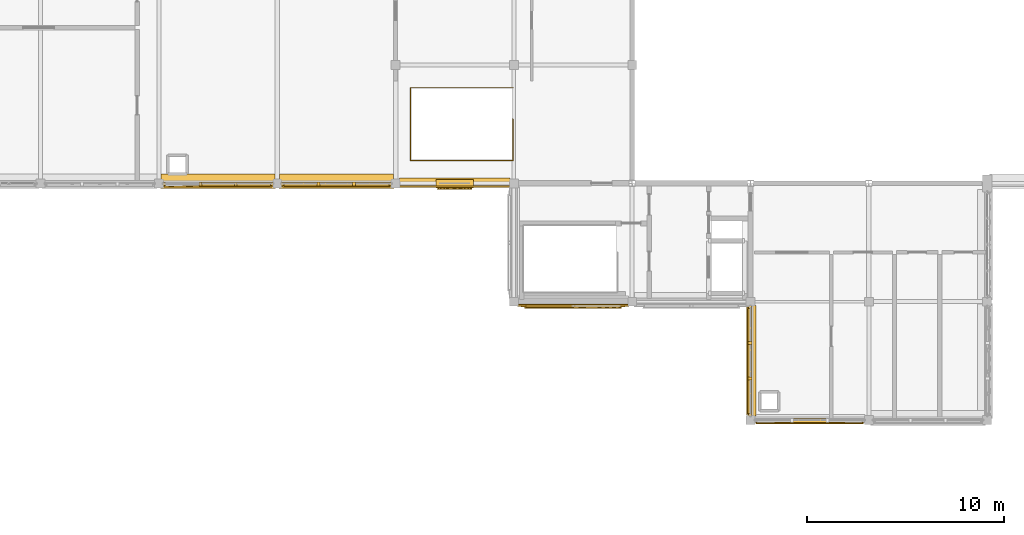
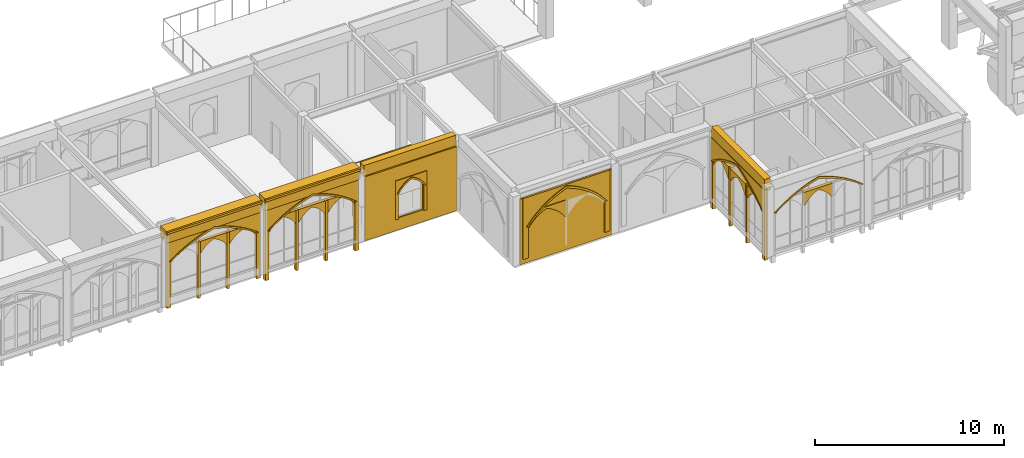
# One storey, part 50 of 59: 35 coverings, 1 railing.
"""IFC4 building model written with IfcOpenShell, lengths in metres."""

from ifc_helpers import new_model, si_unit, direction, frame, origin, origin_2d, place, context, subcontext, project, spatial, polyline, rectangle, circle, outline, extrude, material, type_object, element, save


model = new_model("IFC4")

# Units and contexts
model_context = context("Model", 3, precision=1e-05, world=origin(), true_north=direction((0.0, 1.0)))
body_context = subcontext(model_context, "Body", "Model", "MODEL_VIEW")
ifc_project = project(units=[si_unit("LENGTHUNIT", "METRE"), si_unit("AREAUNIT", "SQUARE_METRE"), si_unit("VOLUMEUNIT", "CUBIC_METRE"), si_unit("PLANEANGLEUNIT", "RADIAN"), si_unit("MASSUNIT", "GRAM", prefix="KILO")], contexts=[model_context])

# Site, building, storey
site_placement = place(None, origin())
site = spatial("IfcSite", under=ifc_project, at=site_placement, CompositionType="ELEMENT")
building_placement = place(site_placement, origin())
building = spatial("IfcBuilding", under=site, at=building_placement, Name="Cumevento Cable Car Station", CompositionType="ELEMENT")
storey_placement = place(building_placement, frame((0.0, 0.0, 18.0)))
storey = spatial("IfcBuildingStorey", under=building, at=storey_placement, Name="L05", CompositionType="ELEMENT", Elevation=18.0)

# Railing
ifc_material_1 = material(Name="Painted Galvanised Architectural Steel", Category="steel")
railing_type = type_object("IfcRailingType", Name="Stair Guardrail GR-S115", PredefinedType="GUARDRAIL", material=ifc_material_1)
railing_placement = place(storey_placement, frame((57.949951171875, 48.27001953125, 0.0)))
element("IfcRailing", 1, at=railing_placement, inside=storey, type_object=railing_type, Name="Stairwell Opening Rim Guard ST-13 L05", PredefinedType="GUARDRAIL", context=body_context, shape_type="SweptSolid", body=[
    extrude(circle(Radius=0.02392578125, at=origin_2d()), frame((0.0, 0.0, 1.1259765625), z_axis=(0.0, -1.0, 0.0), x_axis=(1.0, 0.0, 0.0)), (0.0, 0.0, 1.0), 2.1201171875),
    extrude(circle(Radius=0.02392578125, at=origin_2d()), frame((0.0, -2.1201171875, 1.1259765625), z_axis=(-1.0, 0.0, 0.0), x_axis=(0.0, -1.0, 0.0)), (0.0, 0.0, 1.0), 5.199951171875),
    extrude(circle(Radius=0.02392578125, at=origin_2d()), frame((-5.199951171875, -2.1201171875, 1.1259765625), z_axis=(0.0, 1.0, 0.0), x_axis=(-1.0, 0.0, 0.0)), (0.0, 0.0, 1.0), 3.7001953125),
    extrude(circle(Radius=0.02392578125, at=origin_2d()), frame((-5.199951171875, 1.580078125, 1.1259765625), z_axis=(1.0, 0.0, 0.0), x_axis=(0.0, 1.0, 0.0)), (0.0, 0.0, 1.0), 5.199951171875),
    extrude(circle(Radius=0.02001953125, at=origin_2d()), origin(), (0.0, 0.0, 1.0), 1.101806640625),
    extrude(circle(Radius=0.02001953125, at=origin_2d()), frame((0.0, -0.706787109375, 0.0)), (0.0, 0.0, 1.0), 1.101806640625),
    extrude(circle(Radius=0.02001953125, at=origin_2d()), frame((0.0, -1.413330078125, 0.0)), (0.0, 0.0, 1.0), 1.101806640625),
    extrude(circle(Radius=0.02001953125, at=origin_2d()), frame((0.0, -2.1201171875, 0.0)), (0.0, 0.0, 1.0), 1.101806640625),
    extrude(circle(Radius=0.02001953125, at=origin_2d()), frame((-1.0400390625, -2.1201171875, 0.0)), (0.0, 0.0, 1.0), 1.101806640625),
    extrude(circle(Radius=0.02001953125, at=origin_2d()), frame((-2.080078125, -2.1201171875, 0.0)), (0.0, 0.0, 1.0), 1.101806640625),
    extrude(circle(Radius=0.02001953125, at=origin_2d()), frame((-3.119873046875, -2.1201171875, 0.0)), (0.0, 0.0, 1.0), 1.101806640625),
    extrude(circle(Radius=0.02001953125, at=origin_2d()), frame((-4.159912109375, -2.1201171875, 0.0)), (0.0, 0.0, 1.0), 1.101806640625),
    extrude(circle(Radius=0.02001953125, at=origin_2d()), frame((-5.199951171875, -2.1201171875, 0.0)), (0.0, 0.0, 1.0), 1.101806640625),
    extrude(circle(Radius=0.02001953125, at=origin_2d()), frame((-5.199951171875, -1.195068359375, 0.0)), (0.0, 0.0, 1.0), 1.101806640625),
    extrude(circle(Radius=0.02001953125, at=origin_2d()), frame((-5.199951171875, -0.27001953125, 0.0)), (0.0, 0.0, 1.0), 1.101806640625),
    extrude(circle(Radius=0.02001953125, at=origin_2d()), frame((-5.199951171875, 0.655029296875, 0.0)), (0.0, 0.0, 1.0), 1.101806640625),
    extrude(circle(Radius=0.02001953125, at=origin_2d()), frame((-5.199951171875, 1.580078125, 0.0)), (0.0, 0.0, 1.0), 1.101806640625),
    extrude(circle(Radius=0.02001953125, at=origin_2d()), frame((-4.159912109375, 1.580078125, 0.0)), (0.0, 0.0, 1.0), 1.101806640625),
    extrude(circle(Radius=0.02001953125, at=origin_2d()), frame((-3.119873046875, 1.580078125, 0.0)), (0.0, 0.0, 1.0), 1.101806640625),
    extrude(circle(Radius=0.02001953125, at=origin_2d()), frame((-2.080078125, 1.580078125, 0.0)), (0.0, 0.0, 1.0), 1.101806640625),
    extrude(circle(Radius=0.02001953125, at=origin_2d()), frame((-1.0400390625, 1.580078125, 0.0)), (0.0, 0.0, 1.0), 1.101806640625),
    extrude(circle(Radius=0.02001953125, at=origin_2d()), frame((0.0, 1.580078125, 0.0)), (0.0, 0.0, 1.0), 1.101806640625),
])

# Coverings
ifc_material_2 = material(Name="Gnaisse Facoidal Stone Ashlar 85 MPa", Category="masonry")
covering_type = type_object("IfcCoveringType", Name="Gnaisse Ashlar Cladding CV-CL01", PredefinedType="CLADDING", material=ifc_material_2)
covering_1_placement = place(storey_placement, frame((70.090087890625, 36.0, 3.98291015625), z_axis=(0.0, 0.0, 1.0), x_axis=(0.0, 1.0, 0.0)))
element("IfcCovering", 2, at=covering_1_placement, inside=storey, type_object=covering_type, Name="Gothic Stone Spandrel Stringcourse sc:0783", PredefinedType="CLADDING", context=body_context, shape_type="SweptSolid", body=[
    extrude(rectangle(XDim=5.610107421875, YDim=0.3798828125, at=origin_2d()), origin(), (0.0, 0.0, 1.0), 0.797119140625),
])
covering_2_placement = place(storey_placement, frame((43.0, 45.14990234375, 4.032958984375), z_axis=(0.0, 0.0, 1.0), x_axis=(-1.0, 0.0, 0.0)))
element("IfcCovering", 3, at=covering_2_placement, inside=storey, type_object=covering_type, Name="Gothic Stone Spandrel Stringcourse sc:0799", PredefinedType="CLADDING", context=body_context, shape_type="SweptSolid", body=[
    extrude(rectangle(XDim=5.7900390625, YDim=0.659912109375, at=origin_2d()), origin(), (0.0, 0.0, 1.0), 0.7470703125),
])
covering_3_placement = place(storey_placement, frame((43.0, 44.79248046875, 4.650146484375), z_axis=(0.0, 0.0, 1.0), x_axis=(-1.0, 0.0, 0.0)))
element("IfcCovering", 4, at=covering_3_placement, inside=storey, type_object=covering_type, Name="Gothic Cornice Dripstone Lip sc:0799", PredefinedType="CLADDING", context=body_context, shape_type="SweptSolid", body=[
    extrude(rectangle(XDim=5.830078125, YDim=0.114990234375, at=origin_2d()), origin(), (0.0, 0.0, 1.0), 0.1298828125),
])
covering_4_placement = place(storey_placement, frame((49.0, 45.14990234375, 4.032958984375), z_axis=(0.0, 0.0, 1.0), x_axis=(-1.0, 0.0, 0.0)))
element("IfcCovering", 5, at=covering_4_placement, inside=storey, type_object=covering_type, Name="Gothic Stone Spandrel Stringcourse sc:0800", PredefinedType="CLADDING", context=body_context, shape_type="SweptSolid", body=[
    extrude(rectangle(XDim=5.7900390625, YDim=0.659912109375, at=origin_2d()), origin(), (0.0, 0.0, 1.0), 0.7470703125),
])
covering_5_placement = place(storey_placement, frame((49.0, 44.79248046875, 4.650146484375), z_axis=(0.0, 0.0, 1.0), x_axis=(-1.0, 0.0, 0.0)))
element("IfcCovering", 6, at=covering_5_placement, inside=storey, type_object=covering_type, Name="Gothic Cornice Dripstone Lip sc:0800", PredefinedType="CLADDING", context=body_context, shape_type="SweptSolid", body=[
    extrude(rectangle(XDim=5.830078125, YDim=0.114990234375, at=origin_2d()), origin(), (0.0, 0.0, 1.0), 0.1298828125),
])
covering_6_placement = place(storey_placement, frame((55.0, 45.090087890625, 4.032958984375), z_axis=(0.0, 0.0, 1.0), x_axis=(-1.0, 0.0, 0.0)))
element("IfcCovering", 7, at=covering_6_placement, inside=storey, type_object=covering_type, Name="Gothic Stone Spandrel Stringcourse sc:0808", PredefinedType="CLADDING", context=body_context, shape_type="SweptSolid", body=[
    extrude(rectangle(XDim=5.610107421875, YDim=0.3798828125, at=origin_2d()), origin(), (0.0, 0.0, 1.0), 0.7470703125),
])
covering_7_placement = place(storey_placement, frame((75.77490234375, 33.0, 2.677001953125), z_axis=(0.0, 0.0, 1.0), x_axis=(-1.0, 0.0, 0.0)))
element("IfcCovering", 8, at=covering_7_placement, inside=storey, type_object=covering_type, Name="Gothic Pointed Archivolt Hood Moulding cw_ogival:0192", PredefinedType="CLADDING", context=body_context, shape_type="SweptSolid", body=[
    extrude(outline(polyline([(0.159912109375, 0.0), (0.45361328125, 0.220947265625), (0.758544921875, 0.42626953125), (1.07373046875, 0.614990234375), (1.398681640625, 0.786865234375), (1.732177734375, 0.941162109375), (2.0732421875, 1.077880859375), (2.42138671875, 1.196044921875), (2.77490234375, 1.2958984375), (3.128662109375, 1.196044921875), (3.476806640625, 1.077880859375), (3.81787109375, 0.941162109375), (4.1513671875, 0.786865234375), (4.476318359375, 0.614990234375), (4.79150390625, 0.42626953125), (5.096435546875, 0.220947265625), (5.389892578125, 0.0), (5.5, 0.0), (5.1982421875, 0.24365234375), (4.883056640625, 0.47021484375), (4.555908203125, 0.678955078125), (4.2177734375, 0.869140625), (3.869384765625, 1.0400390625), (3.51220703125, 1.19140625), (3.14697265625, 1.32275390625), (2.77490234375, 1.433349609375), (2.403076171875, 1.32275390625), (2.037841796875, 1.19140625), (1.6806640625, 1.0400390625), (1.332275390625, 0.869140625), (0.994140625, 0.678955078125), (0.6669921875, 0.47021484375), (0.351806640625, 0.24365234375), (0.050048828125, 0.0), (0.159912109375, 0.0)])), frame((0.0, 0.181884765625, 0.0), z_axis=(0.0, -1.0, 0.0), x_axis=(1.0, 0.0, 0.0)), (0.0, 0.0, 1.0), 0.06689453125),
])
covering_8_placement = place(storey_placement, frame((73.8515625, 33.0, 2.4970703125), z_axis=(0.0, 0.0, 1.0), x_axis=(-1.0, 0.0, 0.0)))
element("IfcCovering", 9, at=covering_8_placement, inside=storey, type_object=covering_type, Name="Gothic Ogival Pointed-Arch Stone Spandrel cw_ogival:0192:sub:1", PredefinedType="CLADDING", context=body_context, shape_type="SweptSolid", body=[
    extrude(outline(polyline([(-0.02001953125, 0.0), (-0.02001953125, 0.85400390625), (1.723388671875, 0.85400390625), (1.723388671875, 0.0), (1.663330078125, 0.0), (1.565673828125, 0.157958984375), (1.45068359375, 0.303955078125), (1.320068359375, 0.436279296875), (1.175537109375, 0.552978515625), (1.018798828125, 0.652587890625), (0.8515625, 0.73388671875), (0.6845703125, 0.652587890625), (0.52783203125, 0.552978515625), (0.38330078125, 0.436279296875), (0.252685546875, 0.303955078125), (0.1376953125, 0.157958984375), (0.0400390625, 0.0), (-0.02001953125, 0.0)])), frame((0.0, 0.1240234375, 0.0), z_axis=(0.0, -1.0, 0.0), x_axis=(1.0, 0.0, 0.0)), (0.0, 0.0, 1.0), 0.199951171875),
])
placement_1 = place(storey_placement, frame((70.0, 33.22509765625, -0.419921875), z_axis=(0.0, 0.0, 1.0), x_axis=(0.0, 1.0, 0.0)))
element("IfcCovering", 10, at=placement_1, inside=storey, type_object=covering_type, Name="Gothic Ogival Pointed-Arch Stone Spandrel cw_ogival:0194", PredefinedType="CLADDING", context=body_context, shape_type="SweptSolid", body=[
    extrude(outline(polyline([(-0.080078125, 0.0), (-0.080078125, 4.54296875), (5.6298828125, 4.54296875), (5.6298828125, 0.0), (5.389892578125, 0.0), (5.389892578125, 3.10107421875), (5.093994140625, 3.313232421875), (4.787353515625, 3.51025390625), (4.47119140625, 3.691162109375), (4.14599609375, 3.855712890625), (3.81298828125, 4.003662109375), (3.472900390625, 4.13427734375), (3.126708984375, 4.24755859375), (2.77490234375, 4.343017578125), (2.42333984375, 4.24755859375), (2.0771484375, 4.13427734375), (1.737060546875, 4.003662109375), (1.404052734375, 3.855712890625), (1.078857421875, 3.691162109375), (0.7626953125, 3.51025390625), (0.4560546875, 3.313232421875), (0.159912109375, 3.10107421875), (0.159912109375, 0.0), (-0.080078125, 0.0)])), frame((0.0, 0.139892578125, 0.0), z_axis=(0.0, -1.0, 0.0), x_axis=(1.0, 0.0, 0.0)), (0.0, 0.0, 1.0), 0.219970703125),
])
covering_10_placement = place(storey_placement, frame((70.0, 33.22509765625, 2.68115234375), z_axis=(0.0, 0.0, 1.0), x_axis=(0.0, 1.0, 0.0)))
element("IfcCovering", 11, at=covering_10_placement, inside=storey, type_object=covering_type, Name="Gothic Pointed Archivolt Hood Moulding cw_ogival:0194", PredefinedType="CLADDING", context=body_context, shape_type="SweptSolid", body=[
    extrude(outline(polyline([(0.159912109375, 0.0), (0.4560546875, 0.212158203125), (0.7626953125, 0.4091796875), (1.078857421875, 0.590087890625), (1.404052734375, 0.754638671875), (1.737060546875, 0.902587890625), (2.0771484375, 1.033203125), (2.42333984375, 1.146484375), (2.77490234375, 1.241943359375), (3.126708984375, 1.146484375), (3.472900390625, 1.033203125), (3.81298828125, 0.902587890625), (4.14599609375, 0.754638671875), (4.47119140625, 0.590087890625), (4.787353515625, 0.4091796875), (5.093994140625, 0.212158203125), (5.389892578125, 0.0), (5.5, 0.0), (5.195556640625, 0.235107421875), (4.878662109375, 0.453369140625), (4.550537109375, 0.654296875), (4.212158203125, 0.837158203125), (3.864501953125, 1.00146484375), (3.50830078125, 1.14697265625), (3.144775390625, 1.273193359375), (2.77490234375, 1.37939453125), (2.4052734375, 1.273193359375), (2.041748046875, 1.14697265625), (1.685546875, 1.00146484375), (1.337890625, 0.837158203125), (0.99951171875, 0.654296875), (0.67138671875, 0.453369140625), (0.3544921875, 0.235107421875), (0.050048828125, 0.0), (0.159912109375, 0.0)])), frame((0.0, 0.181884765625, 0.0), z_axis=(0.0, -1.0, 0.0), x_axis=(1.0, 0.0, 0.0)), (0.0, 0.0, 1.0), 0.06689453125),
])
element("IfcCovering", 12, at=placement_1, inside=storey, type_object=covering_type, Name="Gothic Bifora Stone Colonnette cw_ogival:0194 #1", PredefinedType="CLADDING", context=body_context, shape_type="SweptSolid", body=[
    extrude(outline(polyline([(1.80322265625, -0.02001953125), (1.953369140625, -0.02001953125), (1.953369140625, 3.746826171875), (1.80322265625, 3.746826171875), (1.80322265625, -0.02001953125)])), frame((0.0, 0.1279296875, 0.0), z_axis=(0.0, -1.0, 0.0), x_axis=(1.0, 0.0, 0.0)), (0.0, 0.0, 1.0), 0.205078125),
])
element("IfcCovering", 13, at=placement_1, inside=storey, type_object=covering_type, Name="Gothic Bifora Stone Colonnette cw_ogival:0194 #2", PredefinedType="CLADDING", context=body_context, shape_type="SweptSolid", body=[
    extrude(outline(polyline([(3.5966796875, -0.02001953125), (3.74658203125, -0.02001953125), (3.74658203125, 3.746826171875), (3.5966796875, 3.746826171875), (3.5966796875, -0.02001953125)])), frame((0.0, 0.1279296875, 0.0), z_axis=(0.0, -1.0, 0.0), x_axis=(1.0, 0.0, 0.0)), (0.0, 0.0, 1.0), 0.205078125),
])
for number, where, z_axis, x_axis, name in (
    (14, (70.0, 33.35498046875, 2.501220703125), (0.0, 0.0, 1.0), (0.0, 1.0, 0.0), "Gothic Ogival Pointed-Arch Stone Spandrel cw_ogival:0194:sub:0"),
    (15, (70.0, 35.1484375, 2.501220703125), (0.0, 0.0, 1.0), (0.0, 1.0, 0.0), "Gothic Ogival Pointed-Arch Stone Spandrel cw_ogival:0194:sub:1"),
    (16, (70.0, 36.941650390625, 2.501220703125), (0.0, 0.0, 1.0), (0.0, 1.0, 0.0), "Gothic Ogival Pointed-Arch Stone Spandrel cw_ogival:0194:sub:2"),
):
    element("IfcCovering", number, at=place(storey_placement, frame(where, z_axis=z_axis, x_axis=x_axis)), inside=storey, type_object=covering_type, Name=name, PredefinedType="CLADDING", context=body_context, shape_type="SweptSolid", body=[
        extrude(outline(polyline([(-0.02001953125, 0.0), (-0.02001953125, 0.82568359375), (1.723388671875, 0.82568359375), (1.723388671875, 0.0), (1.663330078125, 0.0), (1.563232421875, 0.152587890625), (1.447021484375, 0.293212890625), (1.316162109375, 0.42041015625), (1.172119140625, 0.5322265625), (1.0166015625, 0.6279296875), (0.8515625, 0.705810546875), (0.686767578125, 0.6279296875), (0.53125, 0.5322265625), (0.38720703125, 0.42041015625), (0.25634765625, 0.293212890625), (0.14013671875, 0.152587890625), (0.0400390625, 0.0), (-0.02001953125, 0.0)])), frame((0.0, 0.1240234375, 0.0), z_axis=(0.0, -1.0, 0.0), x_axis=(1.0, 0.0, 0.0)), (0.0, 0.0, 1.0), 0.199951171875),
    ])
placement_2 = place(storey_placement, frame((45.77490234375, 45.0, -0.219970703125), z_axis=(0.0, 0.0, 1.0), x_axis=(-1.0, 0.0, 0.0)))
element("IfcCovering", 17, at=placement_2, inside=storey, type_object=covering_type, Name="Gothic Ogival Pointed-Arch Stone Spandrel cw_ogival:0206", PredefinedType="CLADDING", context=body_context, shape_type="SweptSolid", body=[
    extrude(outline(polyline([(-0.080078125, 0.0), (-0.080078125, 4.39306640625), (5.6298828125, 4.39306640625), (5.6298828125, 0.0), (5.389892578125, 0.0), (5.389892578125, 3.005126953125), (5.091552734375, 3.20849609375), (4.783203125, 3.39697265625), (4.466064453125, 3.5703125), (4.140869140625, 3.727783203125), (3.80859375, 3.869140625), (3.469482421875, 3.993896484375), (3.124755859375, 4.10205078125), (2.77490234375, 4.193115234375), (2.42529296875, 4.10205078125), (2.08056640625, 3.993896484375), (1.741455078125, 3.869140625), (1.4091796875, 3.727783203125), (1.083984375, 3.5703125), (0.766845703125, 3.39697265625), (0.45849609375, 3.20849609375), (0.159912109375, 3.005126953125), (0.159912109375, 0.0), (-0.080078125, 0.0)])), frame((0.0, 0.139892578125, 0.0), z_axis=(0.0, -1.0, 0.0), x_axis=(1.0, 0.0, 0.0)), (0.0, 0.0, 1.0), 0.219970703125),
])
covering_14_placement = place(storey_placement, frame((45.77490234375, 45.0, 2.78515625), z_axis=(0.0, 0.0, 1.0), x_axis=(-1.0, 0.0, 0.0)))
element("IfcCovering", 18, at=covering_14_placement, inside=storey, type_object=covering_type, Name="Gothic Pointed Archivolt Hood Moulding cw_ogival:0206", PredefinedType="CLADDING", context=body_context, shape_type="SweptSolid", body=[
    extrude(outline(polyline([(0.159912109375, 0.0), (0.45849609375, 0.203369140625), (0.766845703125, 0.391845703125), (1.083984375, 0.565185546875), (1.4091796875, 0.72265625), (1.741455078125, 0.864013671875), (2.08056640625, 0.98876953125), (2.42529296875, 1.096923828125), (2.77490234375, 1.18798828125), (3.124755859375, 1.096923828125), (3.469482421875, 0.98876953125), (3.80859375, 0.864013671875), (4.140869140625, 0.72265625), (4.466064453125, 0.565185546875), (4.783203125, 0.391845703125), (5.091552734375, 0.203369140625), (5.389892578125, 0.0), (5.5, 0.0), (5.19287109375, 0.226318359375), (4.87451171875, 0.436279296875), (4.54541015625, 0.62939453125), (4.206787109375, 0.80517578125), (3.859619140625, 0.962890625), (3.50439453125, 1.1025390625), (3.142578125, 1.223388671875), (2.77490234375, 1.325439453125), (2.407470703125, 1.223388671875), (2.045654296875, 1.1025390625), (1.6904296875, 0.962890625), (1.34326171875, 0.80517578125), (1.004638671875, 0.62939453125), (0.675537109375, 0.436279296875), (0.357177734375, 0.226318359375), (0.050048828125, 0.0), (0.159912109375, 0.0)])), frame((0.0, 0.181884765625, 0.0), z_axis=(0.0, -1.0, 0.0), x_axis=(1.0, 0.0, 0.0)), (0.0, 0.0, 1.0), 0.06689453125),
])
element("IfcCovering", 19, at=placement_2, inside=storey, type_object=covering_type, Name="Gothic Bifora Stone Colonnette cw_ogival:0206 #1", PredefinedType="CLADDING", context=body_context, shape_type="SweptSolid", body=[
    extrude(outline(polyline([(1.80322265625, -0.02001953125), (1.953369140625, -0.02001953125), (1.953369140625, 3.622802734375), (1.80322265625, 3.622802734375), (1.80322265625, -0.02001953125)])), frame((0.0, 0.1279296875, 0.0), z_axis=(0.0, -1.0, 0.0), x_axis=(1.0, 0.0, 0.0)), (0.0, 0.0, 1.0), 0.205078125),
])
element("IfcCovering", 20, at=placement_2, inside=storey, type_object=covering_type, Name="Gothic Bifora Stone Colonnette cw_ogival:0206 #2", PredefinedType="CLADDING", context=body_context, shape_type="SweptSolid", body=[
    extrude(outline(polyline([(3.5966796875, -0.02001953125), (3.74658203125, -0.02001953125), (3.74658203125, 3.622802734375), (3.5966796875, 3.622802734375), (3.5966796875, -0.02001953125)])), frame((0.0, 0.1279296875, 0.0), z_axis=(0.0, -1.0, 0.0), x_axis=(1.0, 0.0, 0.0)), (0.0, 0.0, 1.0), 0.205078125),
])
for number, where, z_axis, x_axis, name in (
    (21, (45.64501953125, 45.0, 2.60498046875), (0.0, 0.0, 1.0), (-1.0, 0.0, 0.0), "Gothic Ogival Pointed-Arch Stone Spandrel cw_ogival:0206:sub:0"),
    (22, (43.8515625, 45.0, 2.60498046875), (0.0, 0.0, 1.0), (-1.0, 0.0, 0.0), "Gothic Ogival Pointed-Arch Stone Spandrel cw_ogival:0206:sub:1"),
):
    element("IfcCovering", number, at=place(storey_placement, frame(where, z_axis=z_axis, x_axis=x_axis)), inside=storey, type_object=covering_type, Name=name, PredefinedType="CLADDING", context=body_context, shape_type="SweptSolid", body=[
        extrude(outline(polyline([(-0.02001953125, 0.0), (-0.02001953125, 0.797607421875), (1.723388671875, 0.797607421875), (1.723388671875, 0.0), (1.663330078125, 0.0), (1.56103515625, 0.14697265625), (1.443359375, 0.2822265625), (1.312255859375, 0.404296875), (1.168701171875, 0.51171875), (1.0146484375, 0.603271484375), (0.8515625, 0.677734375), (0.688720703125, 0.603271484375), (0.53466796875, 0.51171875), (0.39111328125, 0.404296875), (0.260009765625, 0.2822265625), (0.142333984375, 0.14697265625), (0.0400390625, 0.0), (-0.02001953125, 0.0)])), frame((0.0, 0.1240234375, 0.0), z_axis=(0.0, -1.0, 0.0), x_axis=(1.0, 0.0, 0.0)), (0.0, 0.0, 1.0), 0.199951171875),
    ])
placement_3 = place(storey_placement, frame((51.77490234375, 45.0, -0.52001953125), z_axis=(0.0, 0.0, 1.0), x_axis=(-1.0, 0.0, 0.0)))
element("IfcCovering", 23, at=placement_3, inside=storey, type_object=covering_type, Name="Gothic Ogival Pointed-Arch Stone Spandrel cw_ogival:0208", PredefinedType="CLADDING", context=body_context, shape_type="SweptSolid", body=[
    extrude(outline(polyline([(-0.080078125, 0.0), (-0.080078125, 4.693115234375), (5.6298828125, 4.693115234375), (5.6298828125, 0.0), (5.389892578125, 0.0), (5.389892578125, 3.197021484375), (5.096435546875, 3.41796875), (4.79150390625, 3.623291015625), (4.476318359375, 3.81201171875), (4.1513671875, 3.98388671875), (3.81787109375, 4.13818359375), (3.476806640625, 4.27490234375), (3.128662109375, 4.39306640625), (2.77490234375, 4.492919921875), (2.42138671875, 4.39306640625), (2.0732421875, 4.27490234375), (1.732177734375, 4.13818359375), (1.398681640625, 3.98388671875), (1.07373046875, 3.81201171875), (0.758544921875, 3.623291015625), (0.45361328125, 3.41796875), (0.159912109375, 3.197021484375), (0.159912109375, 0.0), (-0.080078125, 0.0)])), frame((0.0, 0.139892578125, 0.0), z_axis=(0.0, -1.0, 0.0), x_axis=(1.0, 0.0, 0.0)), (0.0, 0.0, 1.0), 0.219970703125),
])
covering_18_placement = place(storey_placement, frame((51.77490234375, 45.0, 2.677001953125), z_axis=(0.0, 0.0, 1.0), x_axis=(-1.0, 0.0, 0.0)))
element("IfcCovering", 24, at=covering_18_placement, inside=storey, type_object=covering_type, Name="Gothic Pointed Archivolt Hood Moulding cw_ogival:0208", PredefinedType="CLADDING", context=body_context, shape_type="SweptSolid", body=[
    extrude(outline(polyline([(0.159912109375, 0.0), (0.45361328125, 0.220947265625), (0.758544921875, 0.42626953125), (1.07373046875, 0.614990234375), (1.398681640625, 0.786865234375), (1.732177734375, 0.941162109375), (2.0732421875, 1.077880859375), (2.42138671875, 1.196044921875), (2.77490234375, 1.2958984375), (3.128662109375, 1.196044921875), (3.476806640625, 1.077880859375), (3.81787109375, 0.941162109375), (4.1513671875, 0.786865234375), (4.476318359375, 0.614990234375), (4.79150390625, 0.42626953125), (5.096435546875, 0.220947265625), (5.389892578125, 0.0), (5.5, 0.0), (5.1982421875, 0.24365234375), (4.883056640625, 0.47021484375), (4.555908203125, 0.678955078125), (4.2177734375, 0.869140625), (3.869384765625, 1.0400390625), (3.51220703125, 1.19140625), (3.14697265625, 1.32275390625), (2.77490234375, 1.433349609375), (2.403076171875, 1.32275390625), (2.037841796875, 1.19140625), (1.6806640625, 1.0400390625), (1.332275390625, 0.869140625), (0.994140625, 0.678955078125), (0.6669921875, 0.47021484375), (0.351806640625, 0.24365234375), (0.050048828125, 0.0), (0.159912109375, 0.0)])), frame((0.0, 0.181884765625, 0.0), z_axis=(0.0, -1.0, 0.0), x_axis=(1.0, 0.0, 0.0)), (0.0, 0.0, 1.0), 0.06689453125),
])
element("IfcCovering", 25, at=placement_3, inside=storey, type_object=covering_type, Name="Gothic Bifora Stone Colonnette cw_ogival:0208 #1", PredefinedType="CLADDING", context=body_context, shape_type="SweptSolid", body=[
    extrude(outline(polyline([(1.80322265625, -0.02001953125), (1.953369140625, -0.02001953125), (1.953369140625, 3.87109375), (1.80322265625, 3.87109375), (1.80322265625, -0.02001953125)])), frame((0.0, 0.1279296875, 0.0), z_axis=(0.0, -1.0, 0.0), x_axis=(1.0, 0.0, 0.0)), (0.0, 0.0, 1.0), 0.205078125),
])
element("IfcCovering", 26, at=placement_3, inside=storey, type_object=covering_type, Name="Gothic Bifora Stone Colonnette cw_ogival:0208 #2", PredefinedType="CLADDING", context=body_context, shape_type="SweptSolid", body=[
    extrude(outline(polyline([(3.5966796875, -0.02001953125), (3.74658203125, -0.02001953125), (3.74658203125, 3.87109375), (3.5966796875, 3.87109375), (3.5966796875, -0.02001953125)])), frame((0.0, 0.1279296875, 0.0), z_axis=(0.0, -1.0, 0.0), x_axis=(1.0, 0.0, 0.0)), (0.0, 0.0, 1.0), 0.205078125),
])
for number, where, z_axis, x_axis, name in (
    (27, (51.64501953125, 45.0, 2.4970703125), (0.0, 0.0, 1.0), (-1.0, 0.0, 0.0), "Gothic Ogival Pointed-Arch Stone Spandrel cw_ogival:0208:sub:0"),
    (28, (49.8515625, 45.0, 2.4970703125), (0.0, 0.0, 1.0), (-1.0, 0.0, 0.0), "Gothic Ogival Pointed-Arch Stone Spandrel cw_ogival:0208:sub:1"),
    (29, (48.058349609375, 45.0, 2.4970703125), (0.0, 0.0, 1.0), (-1.0, 0.0, 0.0), "Gothic Ogival Pointed-Arch Stone Spandrel cw_ogival:0208:sub:2"),
):
    element("IfcCovering", number, at=place(storey_placement, frame(where, z_axis=z_axis, x_axis=x_axis)), inside=storey, type_object=covering_type, Name=name, PredefinedType="CLADDING", context=body_context, shape_type="SweptSolid", body=[
        extrude(outline(polyline([(-0.02001953125, 0.0), (-0.02001953125, 0.85400390625), (1.723388671875, 0.85400390625), (1.723388671875, 0.0), (1.663330078125, 0.0), (1.565673828125, 0.157958984375), (1.45068359375, 0.303955078125), (1.320068359375, 0.436279296875), (1.175537109375, 0.552978515625), (1.018798828125, 0.652587890625), (0.8515625, 0.73388671875), (0.6845703125, 0.652587890625), (0.52783203125, 0.552978515625), (0.38330078125, 0.436279296875), (0.252685546875, 0.303955078125), (0.1376953125, 0.157958984375), (0.0400390625, 0.0), (-0.02001953125, 0.0)])), frame((0.0, 0.1240234375, 0.0), z_axis=(0.0, -1.0, 0.0), x_axis=(1.0, 0.0, 0.0)), (0.0, 0.0, 1.0), 0.199951171875),
    ])
covering_21_placement = place(storey_placement, frame((63.77490234375, 39.0, 0.0), z_axis=(0.0, 0.0, 1.0), x_axis=(-1.0, 0.0, 0.0)))
element("IfcCovering", 30, at=covering_21_placement, inside=storey, type_object=covering_type, Name="Exterior Gnaisse Stone Wall Ashlar #295", PredefinedType="CLADDING", context=body_context, shape_type="SweptSolid", body=[
    extrude(outline(polyline([(-0.0400390625, -0.02001953125), (5.590087890625, -0.02001953125), (5.590087890625, 4.214111328125), (-0.0400390625, 4.214111328125), (-0.0400390625, -0.02001953125)])), frame((0.0, 0.222412109375, 0.0), z_axis=(0.0, -1.0, 0.0), x_axis=(1.0, 0.0, 0.0)), (0.0, 0.0, 1.0), 0.0849609375),
])
covering_22_placement = place(storey_placement, frame((63.594970703125, 39.0, 0.300048828125), z_axis=(0.0, 0.0, 1.0), x_axis=(-1.0, 0.0, 0.0)))
element("IfcCovering", 31, at=covering_22_placement, inside=storey, type_object=covering_type, Name="Gothic Ogival Pointed-Arch Stone Spandrel blind_ogival:0295", PredefinedType="CLADDING", context=body_context, shape_type="SweptSolid", body=[
    extrude(outline(polyline([(-0.050048828125, 0.0), (-0.050048828125, 3.93408203125), (5.239990234375, 3.93408203125), (5.239990234375, 0.0), (4.929931640625, 0.0), (4.929931640625, 2.048583984375), (4.66015625, 2.3642578125), (4.36572265625, 2.656982421875), (4.048583984375, 2.9248046875), (3.71044921875, 3.165771484375), (3.35400390625, 3.378662109375), (2.981201171875, 3.561767578125), (2.594970703125, 3.7138671875), (2.208740234375, 3.561767578125), (1.8359375, 3.378662109375), (1.4794921875, 3.165771484375), (1.141357421875, 2.9248046875), (0.82421875, 2.656982421875), (0.52978515625, 2.3642578125), (0.260009765625, 2.048583984375), (0.260009765625, 0.0), (-0.050048828125, 0.0)])), frame((0.0, 0.277587890625, 0.0), z_axis=(0.0, -1.0, 0.0), x_axis=(1.0, 0.0, 0.0)), (0.0, 0.0, 1.0), 0.110107421875),
])
covering_23_placement = place(storey_placement, frame((63.594970703125, 39.0, 2.3486328125), z_axis=(0.0, 0.0, 1.0), x_axis=(-1.0, 0.0, 0.0)))
element("IfcCovering", 32, at=covering_23_placement, inside=storey, type_object=covering_type, Name="Gothic Pointed Archivolt Hood Moulding blind_ogival:0295", PredefinedType="CLADDING", context=body_context, shape_type="SweptSolid", body=[
    extrude(outline(polyline([(0.260009765625, 0.0), (0.52978515625, 0.315673828125), (0.82421875, 0.6083984375), (1.141357421875, 0.876220703125), (1.4794921875, 1.1171875), (1.8359375, 1.330078125), (2.208740234375, 1.51318359375), (2.594970703125, 1.665283203125), (2.981201171875, 1.51318359375), (3.35400390625, 1.330078125), (3.71044921875, 1.1171875), (4.048583984375, 0.876220703125), (4.36572265625, 0.6083984375), (4.66015625, 0.315673828125), (4.929931640625, 0.0), (5.051025390625, 0.0), (4.771728515625, 0.34326171875), (4.464599609375, 0.662109375), (4.132080078125, 0.9541015625), (3.7763671875, 1.21728515625), (3.399658203125, 1.449951171875), (3.0048828125, 1.650146484375), (2.594970703125, 1.816650390625), (2.18505859375, 1.650146484375), (1.790283203125, 1.449951171875), (1.41357421875, 1.21728515625), (1.057861328125, 0.9541015625), (0.725341796875, 0.662109375), (0.418212890625, 0.34326171875), (0.138916015625, 0.0), (0.260009765625, 0.0)])), frame((0.0, 0.319580078125, 0.0), z_axis=(0.0, -1.0, 0.0), x_axis=(1.0, 0.0, 0.0)), (0.0, 0.0, 1.0), 0.06689453125),
])
covering_24_placement = place(storey_placement, frame((60.955078125, 39.0, 2.168701171875), z_axis=(0.0, 0.0, 1.0), x_axis=(-1.0, 0.0, 0.0)))
element("IfcCovering", 33, at=covering_24_placement, inside=storey, type_object=covering_type, Name="Gothic Ogival Pointed-Arch Stone Spandrel blind_ogival:0295:sub:1", PredefinedType="CLADDING", context=body_context, shape_type="SweptSolid", body=[
    extrude(outline(polyline([(-0.02001953125, 0.0), (-0.02001953125, 1.0458984375), (2.340087890625, 1.0458984375), (2.340087890625, 0.0), (2.280029296875, 0.0), (2.137939453125, 0.201171875), (1.975341796875, 0.385986328125), (1.794189453125, 0.552734375), (1.596435546875, 0.699462890625), (1.38427734375, 0.82421875), (1.159912109375, 0.926025390625), (0.935791015625, 0.82421875), (0.7236328125, 0.699462890625), (0.52587890625, 0.552734375), (0.3447265625, 0.385986328125), (0.18212890625, 0.201171875), (0.0400390625, 0.0), (-0.02001953125, 0.0)])), frame((0.0, 0.261474609375, 0.0), z_axis=(0.0, -1.0, 0.0), x_axis=(1.0, 0.0, 0.0)), (0.0, 0.0, 1.0), 0.090087890625),
])
covering_25_placement = place(storey_placement, frame((57.77490234375, 45.0, 0.0), z_axis=(0.0, 0.0, 1.0), x_axis=(-1.0, 0.0, 0.0)))
element("IfcCovering", 34, at=covering_25_placement, inside=storey, type_object=covering_type, Name="Exterior Gnaisse Stone Wall Ashlar #307", PredefinedType="CLADDING", context=body_context, shape_type="SweptSolid", body=[
    extrude(outline(polyline([(-0.0400390625, -0.02001953125), (5.590087890625, -0.02001953125), (5.590087890625, 4.113037109375), (-0.0400390625, 4.113037109375), (-0.0400390625, -0.02001953125)]), holes=[polyline([(2.010009765625, 0.760009765625), (3.5400390625, 0.760009765625), (3.5400390625, 2.989990234375), (2.010009765625, 2.989990234375), (2.010009765625, 0.760009765625)])]), frame((0.0, 0.20751953125, 0.0), z_axis=(0.0, -1.0, 0.0), x_axis=(1.0, 0.0, 0.0)), (0.0, 0.0, 1.0), 0.0849609375),
])
covering_26_placement = place(storey_placement, frame((55.9150390625, 45.0, 0.699951171875), z_axis=(0.0, 0.0, 1.0), x_axis=(-1.0, 0.0, 0.0)))
element("IfcCovering", 35, at=covering_26_placement, inside=storey, type_object=covering_type, Name="Gothic Ogival Pointed-Arch Stone Spandrel op_ogival:0307:1", PredefinedType="CLADDING", context=body_context, shape_type="SweptSolid", body=[
    extrude(outline(polyline([(-0.0400390625, 0.0), (-0.0400390625, 2.52001953125), (1.8701171875, 2.52001953125), (1.8701171875, 0.0), (1.68994140625, 0.0), (1.68994140625, 1.669921875), (1.60888671875, 1.794921875), (1.516357421875, 1.91162109375), (1.4130859375, 2.01904296875), (1.300537109375, 2.116455078125), (1.17919921875, 2.202880859375), (1.05029296875, 2.277587890625), (0.9150390625, 2.33984375), (0.77978515625, 2.277587890625), (0.65087890625, 2.202880859375), (0.529541015625, 2.116455078125), (0.4169921875, 2.01904296875), (0.313720703125, 1.91162109375), (0.22119140625, 1.794921875), (0.139892578125, 1.669921875), (0.139892578125, 0.0), (-0.0400390625, 0.0)])), frame((0.0, 0.24560546875, 0.0), z_axis=(0.0, -1.0, 0.0), x_axis=(1.0, 0.0, 0.0)), (0.0, 0.0, 1.0), 0.445068359375),
])
covering_27_placement = place(storey_placement, frame((55.9150390625, 45.0, 2.3701171875), z_axis=(0.0, 0.0, 1.0), x_axis=(-1.0, 0.0, 0.0)))
element("IfcCovering", 36, at=covering_27_placement, inside=storey, type_object=covering_type, Name="Gothic Pointed Archivolt Hood Moulding op_ogival:0307:1", PredefinedType="CLADDING", context=body_context, shape_type="SweptSolid", body=[
    extrude(outline(polyline([(0.139892578125, 0.0), (0.22119140625, 0.124755859375), (0.313720703125, 0.241455078125), (0.4169921875, 0.34912109375), (0.529541015625, 0.446533203125), (0.65087890625, 0.532958984375), (0.77978515625, 0.607666015625), (0.9150390625, 0.669921875), (1.05029296875, 0.607666015625), (1.17919921875, 0.532958984375), (1.300537109375, 0.446533203125), (1.4130859375, 0.34912109375), (1.516357421875, 0.241455078125), (1.60888671875, 0.124755859375), (1.68994140625, 0.0), (1.7890625, 0.0), (1.7001953125, 0.147216796875), (1.59765625, 0.28515625), (1.482177734375, 0.412353515625), (1.35498046875, 0.52783203125), (1.21728515625, 0.630615234375), (1.070068359375, 0.719482421875), (0.9150390625, 0.793701171875), (0.760009765625, 0.719482421875), (0.61279296875, 0.630615234375), (0.47509765625, 0.52783203125), (0.347900390625, 0.412353515625), (0.232421875, 0.28515625), (0.1298828125, 0.147216796875), (0.041015625, 0.0), (0.139892578125, 0.0)])), frame((0.0, 0.28759765625, 0.0), z_axis=(0.0, -1.0, 0.0), x_axis=(1.0, 0.0, 0.0)), (0.0, 0.0, 1.0), 0.06689453125),
])

save(model, "model.ifc")
